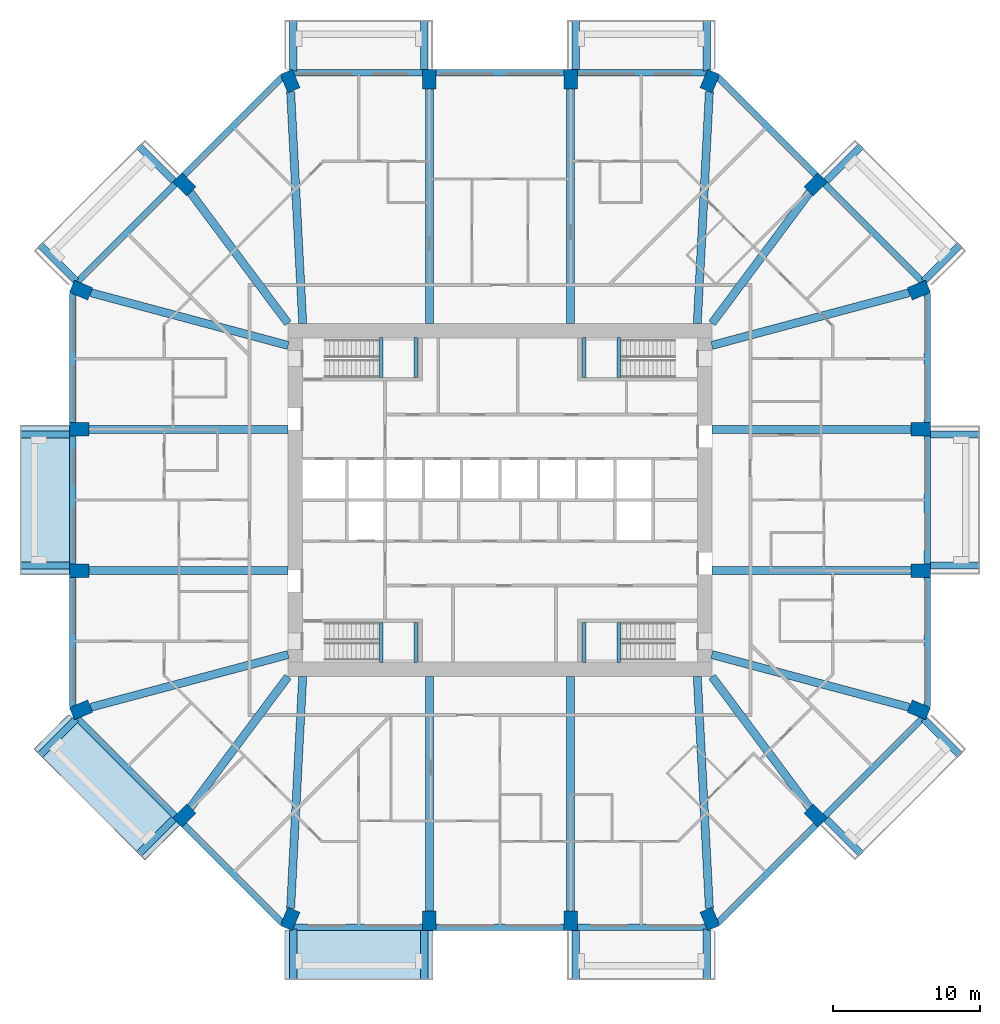
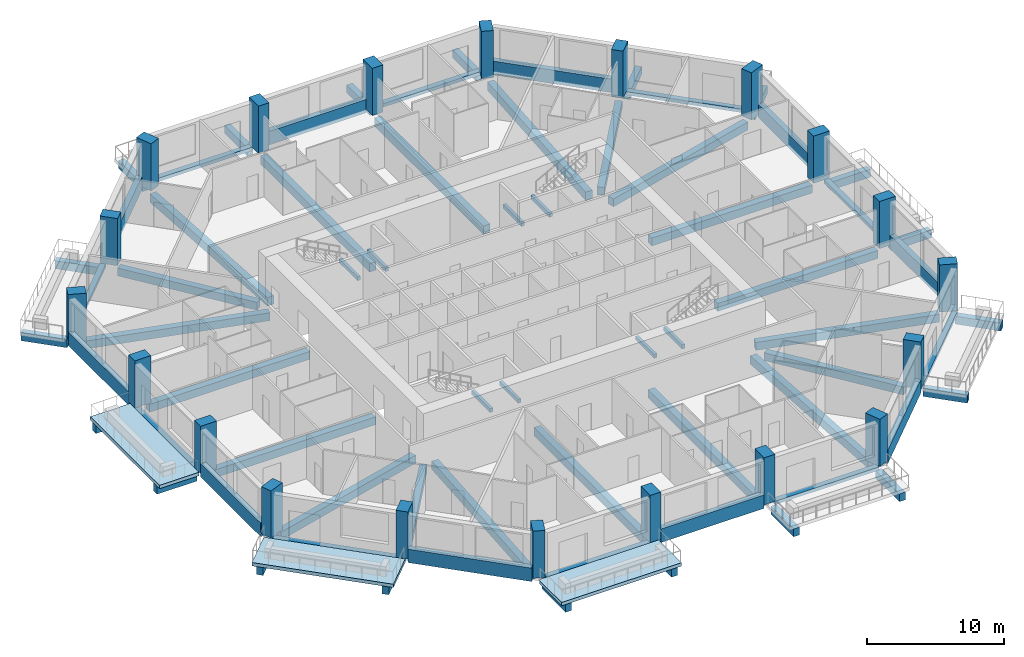
# One storey, part 1 of 13: 68 beams, 20 columns, 3 slabs.
"""IFC4 building model written with IfcOpenShell, lengths in metres."""

from ifc_helpers import new_model, si_unit, direction, frame, origin, origin_2d, place, context, subcontext, project, spatial, polyline, rectangle, outline, extrude, material, layer, layer_set, material_profile, profile_set, type_object, element, save


model = new_model("IFC4")

# Units and contexts
model_context = context("Model", 3, precision=1e-05, world=origin(), true_north=direction((0.0, 1.0)))
body_context = subcontext(model_context, "Body", "Model", "MODEL_VIEW")
ifc_project = project(units=[si_unit("LENGTHUNIT", "METRE"), si_unit("AREAUNIT", "SQUARE_METRE"), si_unit("VOLUMEUNIT", "CUBIC_METRE"), si_unit("PLANEANGLEUNIT", "RADIAN"), si_unit("MASSUNIT", "GRAM", prefix="KILO")], contexts=[model_context])

# Site, building, storey
site_placement = place(None, origin())
site = spatial("IfcSite", under=ifc_project, at=site_placement, CompositionType="ELEMENT")
building_placement = place(site_placement, origin())
building = spatial("IfcBuilding", under=site, at=building_placement, Name="Msitu Wima Residences", CompositionType="ELEMENT")
storey_placement = place(building_placement, frame((0.0, 0.0, 75.89990234375)))
storey = spatial("IfcBuildingStorey", under=building, at=storey_placement, Name="L17", CompositionType="ELEMENT", Elevation=75.89990234375)

# Columns
ifc_material_1 = material(Name="Concrete C80/95", Category="concrete")
ifc_material_profile_1 = material_profile(ifc_material_1, rectangle(XDim=0.89990234375, YDim=1.35009765625, at=origin_2d()), Name="RC 900x1350")
ifc_profile_set_1 = profile_set([ifc_material_profile_1], Name="Concrete C80/95")
column_type = type_object("IfcColumnType", Name="Column RC 900x1350 Concrete C80/95", PredefinedType="COLUMN", material=ifc_profile_set_1)
for number, where, z_axis, x_axis, name in (
    (1, (28.4541015625, -14.2568359375, 0.0), (0.0, 0.0, 1.0), (0.382683496864, 0.923879505795, 0.0), "Column L17 C-E0"),
    (2, (28.574951171875, -4.800048828125, 0.0), (0.0, 0.0, 1.0), (0.0, 1.0, 0.0), "Column L17 C-E1"),
    (3, (28.574951171875, 4.800048828125, 0.0), (0.0, 0.0, 1.0), (0.0, 1.0, 0.0), "Column L17 C-E2"),
    (4, (28.4541015625, 14.2568359375, 0.0), (0.0, 0.0, 1.0), (-0.382683496864, 0.923879505795, 0.0), "Column L17 C-NE0"),
    (5, (21.44091796875, 21.44091796875, 0.0), (0.0, 0.0, 1.0), (-0.707106781187, 0.707106781187, 0.0), "Column L17 C-NE1"),
    (6, (14.2568359375, 28.4541015625, 0.0), (0.0, 0.0, 1.0), (-0.923879505795, 0.382683496864, 0.0), "Column L17 C-N0"),
    (7, (4.800048828125, 28.574951171875, 0.0), (0.0, 0.0, 1.0), (-1.0, 0.0, 0.0), "Column L17 C-N1"),
    (8, (-4.800048828125, 28.574951171875, 0.0), (0.0, 0.0, 1.0), (-1.0, 0.0, 0.0), "Column L17 C-N2"),
    (9, (-14.2568359375, 28.4541015625, 0.0), (0.0, 0.0, 1.0), (-0.923879505795, -0.382683496864, 0.0), "Column L17 C-NW0"),
    (10, (-21.44091796875, 21.44091796875, 0.0), (0.0, 0.0, 1.0), (-0.707106781187, -0.707106781187, 0.0), "Column L17 C-NW1"),
    (11, (-28.4541015625, 14.2568359375, 0.0), (0.0, 0.0, 1.0), (-0.382683496864, -0.923879505795, 0.0), "Column L17 C-W0"),
    (12, (-28.574951171875, 4.800048828125, 0.0), (0.0, 0.0, 1.0), (0.0, -1.0, 0.0), "Column L17 C-W1"),
    (13, (-28.574951171875, -4.800048828125, 0.0), (0.0, 0.0, 1.0), (0.0, -1.0, 0.0), "Column L17 C-W2"),
    (14, (-28.4541015625, -14.2568359375, 0.0), (0.0, 0.0, 1.0), (0.382683496864, -0.923879505795, 0.0), "Column L17 C-SW0"),
    (15, (-21.44091796875, -21.44091796875, 0.0), (0.0, 0.0, 1.0), (0.707106781187, -0.707106781187, 0.0), "Column L17 C-SW1"),
    (16, (-14.2568359375, -28.4541015625, 0.0), (0.0, 0.0, 1.0), (0.923879505795, -0.382683496864, 0.0), "Column L17 C-S0"),
    (17, (-4.800048828125, -28.574951171875, 0.0), (0.0, 0.0, 1.0), (1.0, 0.0, 0.0), "Column L17 C-S1"),
    (18, (4.800048828125, -28.574951171875, 0.0), (0.0, 0.0, 1.0), (1.0, 0.0, 0.0), "Column L17 C-S2"),
    (19, (14.2568359375, -28.4541015625, 0.0), (0.0, 0.0, 1.0), (0.923879505795, 0.382683496864, 0.0), "Column L17 C-SE0"),
    (20, (21.44091796875, -21.44091796875, 0.0), (0.0, 0.0, 1.0), (0.707106781187, 0.707106781187, 0.0), "Column L17 C-SE1"),
):
    element("IfcColumn", number, at=place(storey_placement, frame(where, z_axis=z_axis, x_axis=x_axis)), inside=storey, type_object=column_type, Name=name, PredefinedType="COLUMN", context=body_context, shape_type="SweptSolid", body=[
        extrude(rectangle(XDim=0.89990234375, YDim=1.35009765625, at=origin_2d()), origin(), (0.0, 0.0, 1.0), 4.2001953125),
    ])

# Beams
ifc_material_2 = material(Name="Concrete C50/60", Category="concrete")
ifc_material_profile_2 = material_profile(ifc_material_2, rectangle(XDim=0.550048828125, YDim=0.699951171875, at=origin_2d()), Name="RC 550x700")
ifc_profile_set_2 = profile_set([ifc_material_profile_2], Name="Concrete C50/60")
beam_type_1 = type_object("IfcBeamType", Name="Beam RC 550x700 Concrete C50/60", PredefinedType="BEAM", material=ifc_profile_set_2)
beam_1_placement = place(storey_placement, frame((27.79638671875, -14.080810546875, -0.599853515625), z_axis=(-0.966081778408, 0.258236320891, 0.0), x_axis=(-0.258236320891, -0.966081778408, 0.0)))
element("IfcBeam", 21, at=beam_1_placement, inside=storey, type_object=beam_type_1, Name="Beam L17 C-E0", PredefinedType="BEAM", context=body_context, shape_type="SweptSolid", body=[
    extrude(rectangle(XDim=0.550048828125, YDim=0.699951171875, at=origin_2d()), origin(), (0.0, 0.0, 1.0), 13.878662109375),
])
for number, where, z_axis, x_axis, name in (
    (22, (27.89990234375, -4.800048828125, -0.599853515625), (-1.0, 0.0, 0.0), (0.0, -1.0, 0.0), "Beam L17 C-E1"),
    (23, (27.89990234375, 4.800048828125, -0.599853515625), (-1.0, 0.0, 0.0), (0.0, -1.0, 0.0), "Beam L17 C-E2"),
):
    element("IfcBeam", number, at=place(storey_placement, frame(where, z_axis=z_axis, x_axis=x_axis)), inside=storey, type_object=beam_type_1, Name=name, PredefinedType="BEAM", context=body_context, shape_type="SweptSolid", body=[
        extrude(rectangle(XDim=0.550048828125, YDim=0.699951171875, at=origin_2d()), origin(), (0.0, 0.0, 1.0), 13.5),
    ])
beam_2_placement = place(storey_placement, frame((27.79638671875, 14.080810546875, -0.599853515625), z_axis=(-0.966081778408, -0.258236320891, 0.0), x_axis=(0.258236320891, -0.966081778408, 0.0)))
element("IfcBeam", 24, at=beam_2_placement, inside=storey, type_object=beam_type_1, Name="Beam L17 C-NE0", PredefinedType="BEAM", context=body_context, shape_type="SweptSolid", body=[
    extrude(rectangle(XDim=0.550048828125, YDim=0.699951171875, at=origin_2d()), origin(), (0.0, 0.0, 1.0), 13.878662109375),
])
for number, where, z_axis, x_axis, name in (
    (25, (21.033203125, 20.89404296875, -0.599853515625), (-0.597850242031, -0.801607814398, 0.0), (0.801607814398, -0.597850242031, 0.0), "Beam L17 C-NE1"),
    (26, (-21.033203125, 20.89404296875, -0.599853515625), (0.597850242031, -0.801607814398, 0.0), (0.801607814398, 0.597850242031, 0.0), "Beam L17 C-NW1"),
):
    element("IfcBeam", number, at=place(storey_placement, frame(where, z_axis=z_axis, x_axis=x_axis)), inside=storey, type_object=beam_type_1, Name=name, PredefinedType="BEAM", context=body_context, shape_type="SweptSolid", body=[
        extrude(rectangle(XDim=0.550048828125, YDim=0.699951171875, at=origin_2d()), origin(), (0.0, 0.0, 1.0), 11.09521484375),
    ])
beam_3_placement = place(storey_placement, frame((-27.79638671875, 14.080810546875, -0.599853515625), z_axis=(0.966081778408, -0.258236320891, 0.0), x_axis=(0.258236320891, 0.966081778408, 0.0)))
element("IfcBeam", 27, at=beam_3_placement, inside=storey, type_object=beam_type_1, Name="Beam L17 C-W0", PredefinedType="BEAM", context=body_context, shape_type="SweptSolid", body=[
    extrude(rectangle(XDim=0.550048828125, YDim=0.699951171875, at=origin_2d()), origin(), (0.0, 0.0, 1.0), 13.878662109375),
])
for number, where, z_axis, x_axis, name in (
    (28, (-27.89990234375, 4.800048828125, -0.599853515625), (1.0, 0.0, 0.0), (0.0, 1.0, 0.0), "Beam L17 C-W1"),
    (29, (-27.89990234375, -4.800048828125, -0.599853515625), (1.0, 0.0, 0.0), (0.0, 1.0, 0.0), "Beam L17 C-W2"),
):
    element("IfcBeam", number, at=place(storey_placement, frame(where, z_axis=z_axis, x_axis=x_axis)), inside=storey, type_object=beam_type_1, Name=name, PredefinedType="BEAM", context=body_context, shape_type="SweptSolid", body=[
        extrude(rectangle(XDim=0.550048828125, YDim=0.699951171875, at=origin_2d()), origin(), (0.0, 0.0, 1.0), 13.5),
    ])
beam_4_placement = place(storey_placement, frame((-27.79638671875, -14.080810546875, -0.599853515625), z_axis=(0.966081778408, 0.258236320891, 0.0), x_axis=(-0.258236320891, 0.966081778408, 0.0)))
element("IfcBeam", 30, at=beam_4_placement, inside=storey, type_object=beam_type_1, Name="Beam L17 C-SW0", PredefinedType="BEAM", context=body_context, shape_type="SweptSolid", body=[
    extrude(rectangle(XDim=0.550048828125, YDim=0.699951171875, at=origin_2d()), origin(), (0.0, 0.0, 1.0), 13.878662109375),
])
for number, where, z_axis, x_axis, name in (
    (31, (-21.033203125, -20.89404296875, -0.599853515625), (0.597850242031, 0.801607814398, 0.0), (-0.801607814398, 0.597850242031, 0.0), "Beam L17 C-SW1"),
    (32, (21.033203125, -20.89404296875, -0.599853515625), (-0.597850242031, 0.801607814398, 0.0), (-0.801607814398, -0.597850242031, 0.0), "Beam L17 C-SE1"),
):
    element("IfcBeam", number, at=place(storey_placement, frame(where, z_axis=z_axis, x_axis=x_axis)), inside=storey, type_object=beam_type_1, Name=name, PredefinedType="BEAM", context=body_context, shape_type="SweptSolid", body=[
        extrude(rectangle(XDim=0.550048828125, YDim=0.699951171875, at=origin_2d()), origin(), (0.0, 0.0, 1.0), 11.09521484375),
    ])
ifc_material_profile_3 = material_profile(ifc_material_2, rectangle(XDim=0.550048828125, YDim=0.75, at=origin_2d()), Name="RC 550x750")
ifc_profile_set_3 = profile_set([ifc_material_profile_3], Name="Concrete C50/60")
beam_type_2 = type_object("IfcBeamType", Name="Beam RC 550x750 Concrete C50/60", PredefinedType="BEAM", material=ifc_profile_set_3)
beam_5_placement = place(storey_placement, frame((14.219482421875, 27.739013671875, -0.625), z_axis=(-0.05199418091, -0.998647387796, 0.0), x_axis=(0.998647387796, -0.05199418091, 0.0)))
element("IfcBeam", 33, at=beam_5_placement, inside=storey, type_object=beam_type_2, Name="Beam L17 C-N0", PredefinedType="BEAM", context=body_context, shape_type="SweptSolid", body=[
    extrude(rectangle(XDim=0.550048828125, YDim=0.75, at=origin_2d()), origin(), (0.0, 0.0, 1.0), 15.772216796875),
])
for number, where, z_axis, x_axis, name in (
    (34, (4.800048828125, 27.89990234375, -0.625), (0.0, -1.0, 0.0), (1.0, 0.0, 0.0), "Beam L17 C-N1"),
    (35, (-4.800048828125, 27.89990234375, -0.625), (0.0, -1.0, 0.0), (1.0, 0.0, 0.0), "Beam L17 C-N2"),
):
    element("IfcBeam", number, at=place(storey_placement, frame(where, z_axis=z_axis, x_axis=x_axis)), inside=storey, type_object=beam_type_2, Name=name, PredefinedType="BEAM", context=body_context, shape_type="SweptSolid", body=[
        extrude(rectangle(XDim=0.550048828125, YDim=0.75, at=origin_2d()), origin(), (0.0, 0.0, 1.0), 15.89990234375),
    ])
for number, where, z_axis, x_axis, name in (
    (36, (-14.219482421875, 27.739013671875, -0.625), (0.05199418091, -0.998647387796, 0.0), (0.998647387796, 0.05199418091, 0.0), "Beam L17 C-NW0"),
    (37, (-14.219482421875, -27.739013671875, -0.625), (0.05199418091, 0.998647387796, 0.0), (-0.998647387796, 0.05199418091, 0.0), "Beam L17 C-S0"),
):
    element("IfcBeam", number, at=place(storey_placement, frame(where, z_axis=z_axis, x_axis=x_axis)), inside=storey, type_object=beam_type_2, Name=name, PredefinedType="BEAM", context=body_context, shape_type="SweptSolid", body=[
        extrude(rectangle(XDim=0.550048828125, YDim=0.75, at=origin_2d()), origin(), (0.0, 0.0, 1.0), 15.772216796875),
    ])
for number, where, z_axis, x_axis, name in (
    (38, (-4.800048828125, -27.89990234375, -0.625), (0.0, 1.0, 0.0), (-1.0, 0.0, 0.0), "Beam L17 C-S1"),
    (39, (4.800048828125, -27.89990234375, -0.625), (0.0, 1.0, 0.0), (-1.0, 0.0, 0.0), "Beam L17 C-S2"),
):
    element("IfcBeam", number, at=place(storey_placement, frame(where, z_axis=z_axis, x_axis=x_axis)), inside=storey, type_object=beam_type_2, Name=name, PredefinedType="BEAM", context=body_context, shape_type="SweptSolid", body=[
        extrude(rectangle(XDim=0.550048828125, YDim=0.75, at=origin_2d()), origin(), (0.0, 0.0, 1.0), 15.89990234375),
    ])
beam_6_placement = place(storey_placement, frame((14.219482421875, -27.739013671875, -0.625), z_axis=(-0.05199418091, 0.998647387796, 0.0), x_axis=(-0.998647387796, -0.05199418091, 0.0)))
element("IfcBeam", 40, at=beam_6_placement, inside=storey, type_object=beam_type_2, Name="Beam L17 C-SE0", PredefinedType="BEAM", context=body_context, shape_type="SweptSolid", body=[
    extrude(rectangle(XDim=0.550048828125, YDim=0.75, at=origin_2d()), origin(), (0.0, 0.0, 1.0), 15.772216796875),
])
ifc_material_profile_4 = material_profile(ifc_material_2, rectangle(XDim=0.5, YDim=0.699951171875, at=origin_2d()), Name="RC 500x700")
ifc_profile_set_4 = profile_set([ifc_material_profile_4], Name="Concrete C50/60")
beam_type_3 = type_object("IfcBeamType", Name="Cantilever beam RC 500x700 Concrete C50/60", PredefinedType="BEAM", material=ifc_profile_set_4)
for number, where, z_axis, x_axis, name in (
    (41, (29.25, -4.449951171875, -0.64990234375), (1.0, 0.0, 0.0), (0.0, 1.0, 0.0), "Cantilever beam L17 BA-E1 A"),
    (42, (29.25, 4.449951171875, -0.64990234375), (1.0, 0.0, 0.0), (0.0, 1.0, 0.0), "Cantilever beam L17 BA-E1 B"),
):
    element("IfcBeam", number, at=place(storey_placement, frame(where, z_axis=z_axis, x_axis=x_axis)), inside=storey, type_object=beam_type_3, Name=name, PredefinedType="BEAM", context=body_context, shape_type="SweptSolid", body=[
        extrude(rectangle(XDim=0.5, YDim=0.699951171875, at=origin_2d()), origin(), (0.0, 0.0, 1.0), 3.35009765625),
    ])
beam_7_placement = place(storey_placement, frame((28.78662109375, 14.881591796875, -0.64990234375), z_axis=(0.707106781187, 0.707106781187, 0.0), x_axis=(-0.707106781187, 0.707106781187, 0.0)))
element("IfcBeam", 43, at=beam_7_placement, inside=storey, type_object=beam_type_3, Name="Cantilever beam L17 BA-NE0 A", PredefinedType="BEAM", context=body_context, shape_type="SweptSolid", body=[
    extrude(rectangle(XDim=0.5, YDim=0.699951171875, at=origin_2d()), origin(), (0.0, 0.0, 1.0), 3.468994140625),
])
beam_8_placement = place(storey_placement, frame((22.165771484375, 21.670654296875, -0.64990234375), z_axis=(0.707070340836, 0.707143219659, 0.0), x_axis=(-0.707143219659, 0.707070340836, 0.0)))
element("IfcBeam", 44, at=beam_8_placement, inside=storey, type_object=beam_type_3, Name="Cantilever beam L17 BA-NE0 B", PredefinedType="BEAM", context=body_context, shape_type="SweptSolid", body=[
    extrude(rectangle(XDim=0.5, YDim=0.699951171875, at=origin_2d()), origin(), (0.0, 0.0, 1.0), 3.349853515625),
])
beam_9_placement = place(storey_placement, frame((14.050048828125, 29.130859375, -0.64990234375), z_axis=(0.0, 1.0, 0.0), x_axis=(-1.0, 0.0, 0.0)))
element("IfcBeam", 45, at=beam_9_placement, inside=storey, type_object=beam_type_3, Name="Cantilever beam L17 BA-N0 A", PredefinedType="BEAM", context=body_context, shape_type="SweptSolid", body=[
    extrude(rectangle(XDim=0.5, YDim=0.699951171875, at=origin_2d()), origin(), (0.0, 0.0, 1.0), 3.46923828125),
])
for number, where, z_axis, x_axis, name in (
    (46, (5.14990234375, 29.25, -0.64990234375), (0.0, 1.0, 0.0), (-1.0, 0.0, 0.0), "Cantilever beam L17 BA-N0 B"),
    (47, (-5.14990234375, 29.25, -0.64990234375), (0.0, 1.0, 0.0), (-1.0, 0.0, 0.0), "Cantilever beam L17 BA-N2 A"),
):
    element("IfcBeam", number, at=place(storey_placement, frame(where, z_axis=z_axis, x_axis=x_axis)), inside=storey, type_object=beam_type_3, Name=name, PredefinedType="BEAM", context=body_context, shape_type="SweptSolid", body=[
        extrude(rectangle(XDim=0.5, YDim=0.699951171875, at=origin_2d()), origin(), (0.0, 0.0, 1.0), 3.35009765625),
    ])
beam_10_placement = place(storey_placement, frame((-14.050048828125, 29.130859375, -0.64990234375), z_axis=(0.0, 1.0, 0.0), x_axis=(-1.0, 0.0, 0.0)))
element("IfcBeam", 48, at=beam_10_placement, inside=storey, type_object=beam_type_3, Name="Cantilever beam L17 BA-N2 B", PredefinedType="BEAM", context=body_context, shape_type="SweptSolid", body=[
    extrude(rectangle(XDim=0.5, YDim=0.699951171875, at=origin_2d()), origin(), (0.0, 0.0, 1.0), 3.46923828125),
])
beam_11_placement = place(storey_placement, frame((-22.165771484375, 21.670654296875, -0.64990234375), z_axis=(-0.707070340836, 0.707143219659, 0.0), x_axis=(-0.707143219659, -0.707070340836, 0.0)))
element("IfcBeam", 49, at=beam_11_placement, inside=storey, type_object=beam_type_3, Name="Cantilever beam L17 BA-NW1 A", PredefinedType="BEAM", context=body_context, shape_type="SweptSolid", body=[
    extrude(rectangle(XDim=0.5, YDim=0.699951171875, at=origin_2d()), origin(), (0.0, 0.0, 1.0), 3.349853515625),
])
beam_12_placement = place(storey_placement, frame((-28.78662109375, 14.881591796875, -0.64990234375), z_axis=(-0.707106781187, 0.707106781187, 0.0), x_axis=(-0.707106781187, -0.707106781187, 0.0)))
element("IfcBeam", 50, at=beam_12_placement, inside=storey, type_object=beam_type_3, Name="Cantilever beam L17 BA-NW1 B", PredefinedType="BEAM", context=body_context, shape_type="SweptSolid", body=[
    extrude(rectangle(XDim=0.5, YDim=0.699951171875, at=origin_2d()), origin(), (0.0, 0.0, 1.0), 3.468994140625),
])
for number, where, z_axis, x_axis, name in (
    (51, (-29.25, 4.449951171875, -0.64990234375), (-1.0, 0.0, 0.0), (0.0, -1.0, 0.0), "Cantilever beam L17 BA-W1 A"),
    (52, (-29.25, -4.449951171875, -0.64990234375), (-1.0, 0.0, 0.0), (0.0, -1.0, 0.0), "Cantilever beam L17 BA-W1 B"),
):
    element("IfcBeam", number, at=place(storey_placement, frame(where, z_axis=z_axis, x_axis=x_axis)), inside=storey, type_object=beam_type_3, Name=name, PredefinedType="BEAM", context=body_context, shape_type="SweptSolid", body=[
        extrude(rectangle(XDim=0.5, YDim=0.699951171875, at=origin_2d()), origin(), (0.0, 0.0, 1.0), 3.35009765625),
    ])
beam_13_placement = place(storey_placement, frame((-28.78662109375, -14.881591796875, -0.64990234375), z_axis=(-0.707106781187, -0.707106781187, 0.0), x_axis=(0.707106781187, -0.707106781187, 0.0)))
element("IfcBeam", 53, at=beam_13_placement, inside=storey, type_object=beam_type_3, Name="Cantilever beam L17 BA-SW0 A", PredefinedType="BEAM", context=body_context, shape_type="SweptSolid", body=[
    extrude(rectangle(XDim=0.5, YDim=0.699951171875, at=origin_2d()), origin(), (0.0, 0.0, 1.0), 3.468994140625),
])
beam_14_placement = place(storey_placement, frame((-22.165771484375, -21.670654296875, -0.64990234375), z_axis=(-0.707070340836, -0.707143219659, 0.0), x_axis=(0.707143219659, -0.707070340836, 0.0)))
element("IfcBeam", 54, at=beam_14_placement, inside=storey, type_object=beam_type_3, Name="Cantilever beam L17 BA-SW0 B", PredefinedType="BEAM", context=body_context, shape_type="SweptSolid", body=[
    extrude(rectangle(XDim=0.5, YDim=0.699951171875, at=origin_2d()), origin(), (0.0, 0.0, 1.0), 3.349853515625),
])
beam_15_placement = place(storey_placement, frame((-14.050048828125, -29.130859375, -0.64990234375), z_axis=(0.0, -1.0, 0.0), x_axis=(1.0, 0.0, 0.0)))
element("IfcBeam", 55, at=beam_15_placement, inside=storey, type_object=beam_type_3, Name="Cantilever beam L17 BA-S0 A", PredefinedType="BEAM", context=body_context, shape_type="SweptSolid", body=[
    extrude(rectangle(XDim=0.5, YDim=0.699951171875, at=origin_2d()), origin(), (0.0, 0.0, 1.0), 3.46923828125),
])
for number, where, z_axis, x_axis, name in (
    (56, (-5.14990234375, -29.25, -0.64990234375), (0.0, -1.0, 0.0), (1.0, 0.0, 0.0), "Cantilever beam L17 BA-S0 B"),
    (57, (5.14990234375, -29.25, -0.64990234375), (0.0, -1.0, 0.0), (1.0, 0.0, 0.0), "Cantilever beam L17 BA-S2 A"),
):
    element("IfcBeam", number, at=place(storey_placement, frame(where, z_axis=z_axis, x_axis=x_axis)), inside=storey, type_object=beam_type_3, Name=name, PredefinedType="BEAM", context=body_context, shape_type="SweptSolid", body=[
        extrude(rectangle(XDim=0.5, YDim=0.699951171875, at=origin_2d()), origin(), (0.0, 0.0, 1.0), 3.35009765625),
    ])
beam_16_placement = place(storey_placement, frame((14.050048828125, -29.130859375, -0.64990234375), z_axis=(0.0, -1.0, 0.0), x_axis=(1.0, 0.0, 0.0)))
element("IfcBeam", 58, at=beam_16_placement, inside=storey, type_object=beam_type_3, Name="Cantilever beam L17 BA-S2 B", PredefinedType="BEAM", context=body_context, shape_type="SweptSolid", body=[
    extrude(rectangle(XDim=0.5, YDim=0.699951171875, at=origin_2d()), origin(), (0.0, 0.0, 1.0), 3.46923828125),
])
beam_17_placement = place(storey_placement, frame((22.165771484375, -21.670654296875, -0.64990234375), z_axis=(0.707070340836, -0.707143219659, 0.0), x_axis=(0.707143219659, 0.707070340836, 0.0)))
element("IfcBeam", 59, at=beam_17_placement, inside=storey, type_object=beam_type_3, Name="Cantilever beam L17 BA-SE1 A", PredefinedType="BEAM", context=body_context, shape_type="SweptSolid", body=[
    extrude(rectangle(XDim=0.5, YDim=0.699951171875, at=origin_2d()), origin(), (0.0, 0.0, 1.0), 3.349853515625),
])
beam_18_placement = place(storey_placement, frame((28.78662109375, -14.881591796875, -0.64990234375), z_axis=(0.707106781187, -0.707106781187, 0.0), x_axis=(0.707106781187, 0.707106781187, 0.0)))
element("IfcBeam", 60, at=beam_18_placement, inside=storey, type_object=beam_type_3, Name="Cantilever beam L17 BA-SE1 B", PredefinedType="BEAM", context=body_context, shape_type="SweptSolid", body=[
    extrude(rectangle(XDim=0.5, YDim=0.699951171875, at=origin_2d()), origin(), (0.0, 0.0, 1.0), 3.468994140625),
])
ifc_material_profile_5 = material_profile(ifc_material_2, rectangle(XDim=0.449951171875, YDim=0.300048828125, at=origin_2d()), Name="RC 450x300")
ifc_profile_set_5 = profile_set([ifc_material_profile_5], Name="Concrete C50/60")
beam_type_4 = type_object("IfcBeamType", Name="Edge beam RC 450x300 Concrete C50/60", PredefinedType="SPANDREL", material=ifc_profile_set_5)
beam_19_placement = place(storey_placement, frame((29.02490234375, -4.35009765625, -0.14990234375), z_axis=(0.0, 1.0, 0.0), x_axis=(-1.0, 0.0, 0.0)))
element("IfcBeam", 61, at=beam_19_placement, inside=storey, type_object=beam_type_4, Name="Spandrel L17 E1", PredefinedType="SPANDREL", context=body_context, shape_type="SweptSolid", body=[
    extrude(rectangle(XDim=0.449951171875, YDim=0.300048828125, at=origin_2d()), origin(), (0.0, 0.0, 1.0), 8.7001953125),
])
beam_20_placement = place(storey_placement, frame((28.68896484375, 14.8291015625, -0.14990234375), z_axis=(-0.707093725903, 0.707119836229, 0.0), x_axis=(-0.707119836229, -0.707093725903, 0.0)))
element("IfcBeam", 62, at=beam_20_placement, inside=storey, type_object=beam_type_4, Name="Spandrel L17 NE0", PredefinedType="SPANDREL", context=body_context, shape_type="SweptSolid", body=[
    extrude(rectangle(XDim=0.449951171875, YDim=0.300048828125, at=origin_2d()), origin(), (0.0, 0.0, 1.0), 9.350341796875),
])
for number, where, z_axis, x_axis, name in (
    (63, (14.01806640625, 29.02490234375, -0.14990234375), (-1.0, 0.0, 0.0), (0.0, -1.0, 0.0), "Spandrel L17 N0"),
    (64, (-5.25, 29.02490234375, -0.14990234375), (-1.0, 0.0, 0.0), (0.0, -1.0, 0.0), "Spandrel L17 N2"),
):
    element("IfcBeam", number, at=place(storey_placement, frame(where, z_axis=z_axis, x_axis=x_axis)), inside=storey, type_object=beam_type_4, Name=name, PredefinedType="SPANDREL", context=body_context, shape_type="SweptSolid", body=[
        extrude(rectangle(XDim=0.449951171875, YDim=0.300048828125, at=origin_2d()), origin(), (0.0, 0.0, 1.0), 8.76806640625),
    ])
beam_21_placement = place(storey_placement, frame((-22.077392578125, 21.44091796875, -0.14990234375), z_axis=(-0.707093725903, -0.707119836229, 0.0), x_axis=(0.707119836229, -0.707093725903, 0.0)))
element("IfcBeam", 65, at=beam_21_placement, inside=storey, type_object=beam_type_4, Name="Spandrel L17 NW1", PredefinedType="SPANDREL", context=body_context, shape_type="SweptSolid", body=[
    extrude(rectangle(XDim=0.449951171875, YDim=0.300048828125, at=origin_2d()), origin(), (0.0, 0.0, 1.0), 9.350341796875),
])
beam_22_placement = place(storey_placement, frame((-29.02490234375, 4.35009765625, -0.14990234375), z_axis=(0.0, -1.0, 0.0), x_axis=(1.0, 0.0, 0.0)))
element("IfcBeam", 66, at=beam_22_placement, inside=storey, type_object=beam_type_4, Name="Spandrel L17 W1", PredefinedType="SPANDREL", context=body_context, shape_type="SweptSolid", body=[
    extrude(rectangle(XDim=0.449951171875, YDim=0.300048828125, at=origin_2d()), origin(), (0.0, 0.0, 1.0), 8.7001953125),
])
beam_23_placement = place(storey_placement, frame((-28.68896484375, -14.8291015625, -0.14990234375), z_axis=(0.707093725903, -0.707119836229, 0.0), x_axis=(0.707119836229, 0.707093725903, 0.0)))
element("IfcBeam", 67, at=beam_23_placement, inside=storey, type_object=beam_type_4, Name="Spandrel L17 SW0", PredefinedType="SPANDREL", context=body_context, shape_type="SweptSolid", body=[
    extrude(rectangle(XDim=0.449951171875, YDim=0.300048828125, at=origin_2d()), origin(), (0.0, 0.0, 1.0), 9.350341796875),
])
for number, where, z_axis, x_axis, name in (
    (68, (-14.01806640625, -29.02490234375, -0.14990234375), (1.0, 0.0, 0.0), (0.0, 1.0, 0.0), "Spandrel L17 S0"),
    (69, (5.25, -29.02490234375, -0.14990234375), (1.0, 0.0, 0.0), (0.0, 1.0, 0.0), "Spandrel L17 S2"),
):
    element("IfcBeam", number, at=place(storey_placement, frame(where, z_axis=z_axis, x_axis=x_axis)), inside=storey, type_object=beam_type_4, Name=name, PredefinedType="SPANDREL", context=body_context, shape_type="SweptSolid", body=[
        extrude(rectangle(XDim=0.449951171875, YDim=0.300048828125, at=origin_2d()), origin(), (0.0, 0.0, 1.0), 8.76806640625),
    ])
beam_24_placement = place(storey_placement, frame((22.077392578125, -21.44091796875, -0.14990234375), z_axis=(0.707093725903, 0.707119836229, 0.0), x_axis=(-0.707119836229, 0.707093725903, 0.0)))
element("IfcBeam", 70, at=beam_24_placement, inside=storey, type_object=beam_type_4, Name="Spandrel L17 SE1", PredefinedType="SPANDREL", context=body_context, shape_type="SweptSolid", body=[
    extrude(rectangle(XDim=0.449951171875, YDim=0.300048828125, at=origin_2d()), origin(), (0.0, 0.0, 1.0), 9.350341796875),
])
ifc_material_3 = material(Name="Concrete C40/50", Category="concrete")
ifc_material_profile_6 = material_profile(ifc_material_3, rectangle(XDim=0.25, YDim=0.35009765625, at=origin_2d()), Name="RC 250x350")
ifc_profile_set_6 = profile_set([ifc_material_profile_6], Name="Concrete C40/50")
beam_type_5 = type_object("IfcBeamType", Name="Landing beam RC 250x350", PredefinedType="BEAM", material=ifc_profile_set_6)
for number, where, z_axis, x_axis, name in (
    (71, (-8.074951171875, 8.324951171875, 1.72509765625), (0.0, 1.0, 0.0), (-1.0, 0.0, 0.0), "Stair 1 landing beam"),
    (72, (-5.72509765625, 8.324951171875, 1.72509765625), (0.0, 1.0, 0.0), (-1.0, 0.0, 0.0), "Stair 1 landing beam"),
    (73, (-8.074951171875, -11.02490234375, 1.72509765625), (0.0, 1.0, 0.0), (-1.0, 0.0, 0.0), "Stair 2 landing beam"),
    (74, (-5.72509765625, -11.02490234375, 1.72509765625), (0.0, 1.0, 0.0), (-1.0, 0.0, 0.0), "Stair 2 landing beam"),
    (75, (8.074951171875, 8.324951171875, 1.72509765625), (0.0, 1.0, 0.0), (-1.0, 0.0, 0.0), "Stair 3 landing beam"),
    (76, (5.72509765625, 8.324951171875, 1.72509765625), (0.0, 1.0, 0.0), (-1.0, 0.0, 0.0), "Stair 3 landing beam"),
    (77, (8.074951171875, -11.02490234375, 1.72509765625), (0.0, 1.0, 0.0), (-1.0, 0.0, 0.0), "Stair 4 landing beam"),
    (78, (5.72509765625, -11.02490234375, 1.72509765625), (0.0, 1.0, 0.0), (-1.0, 0.0, 0.0), "Stair 4 landing beam"),
):
    element("IfcBeam", number, at=place(storey_placement, frame(where, z_axis=z_axis, x_axis=x_axis)), inside=storey, type_object=beam_type_5, Name=name, PredefinedType="BEAM", context=body_context, shape_type="SweptSolid", body=[
        extrude(rectangle(XDim=0.25, YDim=0.35009765625, at=origin_2d()), origin(), (0.0, 0.0, 1.0), 2.699951171875),
    ])
ifc_material_profile_7 = material_profile(ifc_material_2, rectangle(XDim=0.449951171875, YDim=1.199951171875, at=origin_2d()), Name="RC 450x1200")
ifc_profile_set_7 = profile_set([ifc_material_profile_7], Name="Concrete C50/60")
beam_type_6 = type_object("IfcBeamType", Name="Spandrel RC 450x1200 Concrete C50/60", PredefinedType="SPANDREL", material=ifc_profile_set_7)
for number, where, z_axis, x_axis, name in (
    (79, (29.02490234375, -14.01806640625, 0.300048828125), (0.0, 1.0, 0.0), (-1.0, 0.0, 0.0), "Spandrel L17 E0"),
    (80, (29.02490234375, 5.25, 0.300048828125), (0.0, 1.0, 0.0), (-1.0, 0.0, 0.0), "Spandrel L17 E2"),
):
    element("IfcBeam", number, at=place(storey_placement, frame(where, z_axis=z_axis, x_axis=x_axis)), inside=storey, type_object=beam_type_6, Name=name, PredefinedType="SPANDREL", context=body_context, shape_type="SweptSolid", body=[
        extrude(rectangle(XDim=0.449951171875, YDim=1.199951171875, at=origin_2d()), origin(), (0.0, 0.0, 1.0), 8.76806640625),
    ])
beam_25_placement = place(storey_placement, frame((21.44091796875, 22.077392578125, 0.300048828125), z_axis=(-0.707119836229, 0.707093725903, 0.0), x_axis=(-0.707093725903, -0.707119836229, 0.0)))
element("IfcBeam", 81, at=beam_25_placement, inside=storey, type_object=beam_type_6, Name="Spandrel L17 NE1", PredefinedType="SPANDREL", context=body_context, shape_type="SweptSolid", body=[
    extrude(rectangle(XDim=0.449951171875, YDim=1.199951171875, at=origin_2d()), origin(), (0.0, 0.0, 1.0), 9.350341796875),
])
beam_26_placement = place(storey_placement, frame((4.35009765625, 29.02490234375, 0.300048828125), z_axis=(-1.0, 0.0, 0.0), x_axis=(0.0, -1.0, 0.0)))
element("IfcBeam", 82, at=beam_26_placement, inside=storey, type_object=beam_type_6, Name="Spandrel L17 N1", PredefinedType="SPANDREL", context=body_context, shape_type="SweptSolid", body=[
    extrude(rectangle(XDim=0.449951171875, YDim=1.199951171875, at=origin_2d()), origin(), (0.0, 0.0, 1.0), 8.7001953125),
])
beam_27_placement = place(storey_placement, frame((-14.8291015625, 28.68896484375, 0.300048828125), z_axis=(-0.707119836229, -0.707093725903, 0.0), x_axis=(0.707093725903, -0.707119836229, 0.0)))
element("IfcBeam", 83, at=beam_27_placement, inside=storey, type_object=beam_type_6, Name="Spandrel L17 NW0", PredefinedType="SPANDREL", context=body_context, shape_type="SweptSolid", body=[
    extrude(rectangle(XDim=0.449951171875, YDim=1.199951171875, at=origin_2d()), origin(), (0.0, 0.0, 1.0), 9.350341796875),
])
for number, where, z_axis, x_axis, name in (
    (84, (-29.02490234375, 14.01806640625, 0.300048828125), (0.0, -1.0, 0.0), (1.0, 0.0, 0.0), "Spandrel L17 W0"),
    (85, (-29.02490234375, -5.25, 0.300048828125), (0.0, -1.0, 0.0), (1.0, 0.0, 0.0), "Spandrel L17 W2"),
):
    element("IfcBeam", number, at=place(storey_placement, frame(where, z_axis=z_axis, x_axis=x_axis)), inside=storey, type_object=beam_type_6, Name=name, PredefinedType="SPANDREL", context=body_context, shape_type="SweptSolid", body=[
        extrude(rectangle(XDim=0.449951171875, YDim=1.199951171875, at=origin_2d()), origin(), (0.0, 0.0, 1.0), 8.76806640625),
    ])
beam_28_placement = place(storey_placement, frame((-21.44091796875, -22.077392578125, 0.300048828125), z_axis=(0.707119836229, -0.707093725903, 0.0), x_axis=(0.707093725903, 0.707119836229, 0.0)))
element("IfcBeam", 86, at=beam_28_placement, inside=storey, type_object=beam_type_6, Name="Spandrel L17 SW1", PredefinedType="SPANDREL", context=body_context, shape_type="SweptSolid", body=[
    extrude(rectangle(XDim=0.449951171875, YDim=1.199951171875, at=origin_2d()), origin(), (0.0, 0.0, 1.0), 9.350341796875),
])
beam_29_placement = place(storey_placement, frame((-4.35009765625, -29.02490234375, 0.300048828125), z_axis=(1.0, 0.0, 0.0), x_axis=(0.0, 1.0, 0.0)))
element("IfcBeam", 87, at=beam_29_placement, inside=storey, type_object=beam_type_6, Name="Spandrel L17 S1", PredefinedType="SPANDREL", context=body_context, shape_type="SweptSolid", body=[
    extrude(rectangle(XDim=0.449951171875, YDim=1.199951171875, at=origin_2d()), origin(), (0.0, 0.0, 1.0), 8.7001953125),
])
beam_30_placement = place(storey_placement, frame((14.8291015625, -28.68896484375, 0.300048828125), z_axis=(0.707119836229, 0.707093725903, 0.0), x_axis=(-0.707093725903, 0.707119836229, 0.0)))
element("IfcBeam", 88, at=beam_30_placement, inside=storey, type_object=beam_type_6, Name="Spandrel L17 SE0", PredefinedType="SPANDREL", context=body_context, shape_type="SweptSolid", body=[
    extrude(rectangle(XDim=0.449951171875, YDim=1.199951171875, at=origin_2d()), origin(), (0.0, 0.0, 1.0), 9.350341796875),
])

# Slabs
ifc_layer = layer(ifc_material_3, 0.300048828125)
ifc_layer_set = layer_set([ifc_layer], Name="Concrete C40/50")
slab_type = type_object("IfcSlabType", Name="Balcony slab BS300", PredefinedType="FLOOR", material=ifc_layer_set)
slab_1_placement = place(storey_placement, frame((0.0, 0.0, -0.2998046875)))
element("IfcSlab", 89, at=slab_1_placement, inside=storey, type_object=slab_type, Name="Balcony W1 L17", PredefinedType="FLOOR", context=body_context, shape_type="SweptSolid", body=[
    extrude(outline(polyline([(-29.25, 4.35009765625), (-29.25, -4.35009765625), (-29.25, -5.050048828125), (-32.60009765625, -5.050048828125), (-32.60009765625, 5.050048828125), (-29.25, 5.050048828125), (-29.25, 4.35009765625)])), origin(), (0.0, 0.0, 1.0), 0.2998046875),
])
slab_2_placement = place(storey_placement, frame((0.0, 0.0, -0.2998046875)))
element("IfcSlab", 90, at=slab_2_placement, inside=storey, type_object=slab_type, Name="Balcony SW0 L17", PredefinedType="FLOOR", context=body_context, shape_type="SweptSolid", body=[
    extrude(outline(polyline([(-24.1103515625, -24.4638671875), (-31.663818359375, -16.91015625), (-29.403564453125, -14.64990234375), (-29.25, -14.58642578125), (-21.741455078125, -22.094970703125), (-24.1103515625, -24.4638671875)])), origin(), (0.0, 0.0, 1.0), 0.2998046875),
])
slab_3_placement = place(storey_placement, frame((0.0, 0.0, -0.2998046875)))
element("IfcSlab", 91, at=slab_3_placement, inside=storey, type_object=slab_type, Name="Balcony S0 L17", PredefinedType="FLOOR", context=body_context, shape_type="SweptSolid", body=[
    extrude(outline(polyline([(-14.099365234375, -29.25), (-14.099365234375, -29.25), (-5.25, -29.25), (-4.550048828125, -29.25), (-4.550048828125, -32.60009765625), (-14.64990234375, -32.60009765625), (-14.64990234375, -29.403564453125), (-14.58642578125, -29.25), (-14.099365234375, -29.25), (-14.099365234375, -29.25)])), origin(), (0.0, 0.0, 1.0), 0.2998046875),
])

save(model, "model.ifc")
